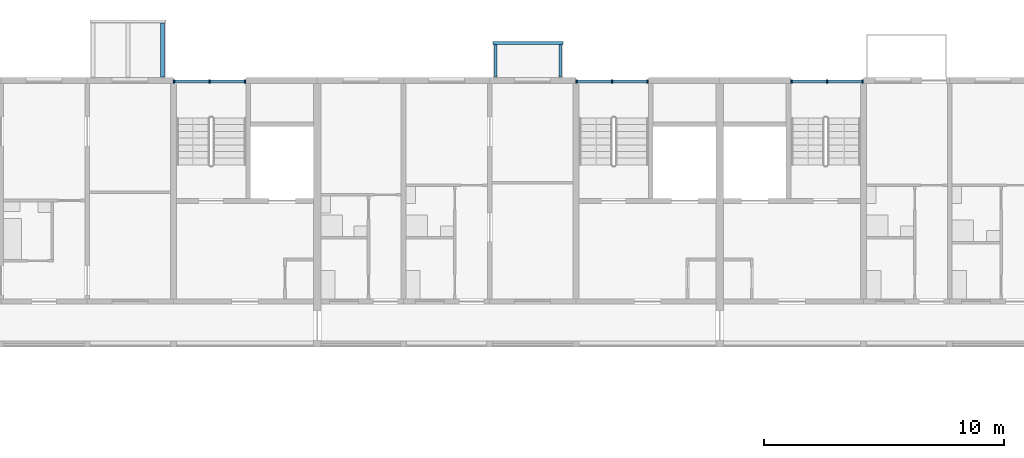
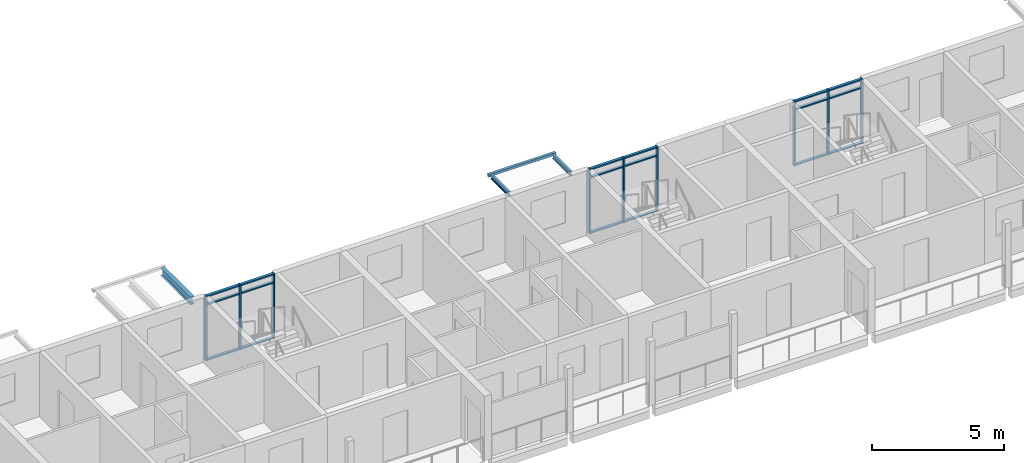
# One storey, part 18 of 99: 27 members, 4 beams, 3 elements without a shape of their own.
"""IFC4 building model written with IfcOpenShell, lengths in metres."""

from ifc_helpers import new_model, si_unit, direction, frame, origin, origin_2d, place, context, subcontext, project, spatial, rectangle, hollow_rectangle, i_section, extrude, material, material_profile, profile_set, type_object, element, aggregate, save


model = new_model("IFC4")

# Units and contexts
model_context = context("Model", 3, precision=1e-05, world=origin(), true_north=direction((0.0, 1.0)))
body_context = subcontext(model_context, "Body", "Model", "MODEL_VIEW")
ifc_project = project(units=[si_unit("LENGTHUNIT", "METRE"), si_unit("AREAUNIT", "SQUARE_METRE"), si_unit("VOLUMEUNIT", "CUBIC_METRE"), si_unit("PLANEANGLEUNIT", "RADIAN"), si_unit("MASSUNIT", "GRAM", prefix="KILO")], contexts=[model_context])

# Site, building, storey
site_placement = place(None, origin())
site = spatial("IfcSite", under=ifc_project, at=site_placement, CompositionType="ELEMENT")
building_placement = place(site_placement, origin())
building = spatial("IfcBuilding", under=site, at=building_placement, Name="Ridgestep Commons", CompositionType="ELEMENT")
storey_placement = place(building_placement, frame((0.0, 0.0, 15.0)))
storey = spatial("IfcBuildingStorey", under=building, at=storey_placement, Name="L05", CompositionType="ELEMENT", Elevation=15.0)

# Curtain wall, members
ifc_material_1 = material(Name="Aluminium 6063-T6 and glass", Category="aluminium")
curtain_wall_type = type_object("IfcCurtainWallType", Name="Curtain wall stair strip", PredefinedType="NOTDEFINED", material=ifc_material_1)
curtain_wall_1_placement = place(storey_placement, origin())
curtain_wall_1 = element("IfcCurtainWall", 1, at=curtain_wall_1_placement, inside=storey, type_object=curtain_wall_type, Name="Curtain wall C1C level 05", PredefinedType="NOTDEFINED")
ifc_material_2 = material(Name="Aluminium 6063-T6", Category="aluminium")
ifc_material_profile_1 = material_profile(ifc_material_2, rectangle(XDim=0.159912109375, YDim=0.06005859375, at=origin_2d()), Name="Mullion 60 x 160")
ifc_profile_set_1 = profile_set([ifc_material_profile_1], Name="Aluminium 6063-T6")
member_type_1 = type_object("IfcMemberType", Name="Mullion 60 x 160", PredefinedType="MULLION", material=ifc_profile_set_1)
member_1_placement = place(storey_placement, frame((157.6298828125, 77.080078125, 0.0), z_axis=(0.0, 0.0, 1.0), x_axis=(0.0, 1.0, 0.0)))
member_1 = element("IfcMember", 2, at=member_1_placement, type_object=member_type_1, Name="CW1 mullion 1", PredefinedType="MULLION", context=body_context, shape_type="SweptSolid", body=[
    extrude(rectangle(XDim=0.159912109375, YDim=0.06005859375, at=origin_2d()), origin(), (0.0, 0.0, 1.0), 3.0),
])
member_2_placement = place(storey_placement, frame((159.112548828125, 77.080078125, 0.0), z_axis=(0.0, 0.0, 1.0), x_axis=(0.0, 1.0, 0.0)))
member_2 = element("IfcMember", 3, at=member_2_placement, type_object=member_type_1, Name="CW1 mullion 2", PredefinedType="MULLION", context=body_context, shape_type="SweptSolid", body=[
    extrude(rectangle(XDim=0.159912109375, YDim=0.06005859375, at=origin_2d()), origin(), (0.0, 0.0, 1.0), 3.0),
])
member_3_placement = place(storey_placement, frame((160.594970703125, 77.080078125, 0.0), z_axis=(0.0, 0.0, 1.0), x_axis=(0.0, 1.0, 0.0)))
member_3 = element("IfcMember", 4, at=member_3_placement, type_object=member_type_1, Name="CW1 mullion 3", PredefinedType="MULLION", context=body_context, shape_type="SweptSolid", body=[
    extrude(rectangle(XDim=0.159912109375, YDim=0.06005859375, at=origin_2d()), origin(), (0.0, 0.0, 1.0), 3.0),
])

curtain_wall_2_placement = place(storey_placement, origin())
curtain_wall_2 = element("IfcCurtainWall", 5, at=curtain_wall_2_placement, inside=storey, type_object=curtain_wall_type, Name="Curtain wall C2C level 05", PredefinedType="NOTDEFINED")
member_4_placement = place(storey_placement, frame((174.429931640625, 77.080078125, 0.0), z_axis=(0.0, 0.0, 1.0), x_axis=(0.0, 1.0, 0.0)))
member_4 = element("IfcMember", 6, at=member_4_placement, type_object=member_type_1, Name="CW1 mullion 1", PredefinedType="MULLION", context=body_context, shape_type="SweptSolid", body=[
    extrude(rectangle(XDim=0.159912109375, YDim=0.06005859375, at=origin_2d()), origin(), (0.0, 0.0, 1.0), 3.0),
])
member_5_placement = place(storey_placement, frame((175.91259765625, 77.080078125, 0.0), z_axis=(0.0, 0.0, 1.0), x_axis=(0.0, 1.0, 0.0)))
member_5 = element("IfcMember", 7, at=member_5_placement, type_object=member_type_1, Name="CW1 mullion 2", PredefinedType="MULLION", context=body_context, shape_type="SweptSolid", body=[
    extrude(rectangle(XDim=0.159912109375, YDim=0.06005859375, at=origin_2d()), origin(), (0.0, 0.0, 1.0), 3.0),
])
member_6_placement = place(storey_placement, frame((177.39501953125, 77.080078125, 0.0), z_axis=(0.0, 0.0, 1.0), x_axis=(0.0, 1.0, 0.0)))
member_6 = element("IfcMember", 8, at=member_6_placement, type_object=member_type_1, Name="CW1 mullion 3", PredefinedType="MULLION", context=body_context, shape_type="SweptSolid", body=[
    extrude(rectangle(XDim=0.159912109375, YDim=0.06005859375, at=origin_2d()), origin(), (0.0, 0.0, 1.0), 3.0),
])

curtain_wall_3_placement = place(storey_placement, origin())
curtain_wall_3 = element("IfcCurtainWall", 9, at=curtain_wall_3_placement, inside=storey, type_object=curtain_wall_type, Name="Curtain wall C3C level 05", PredefinedType="NOTDEFINED")
member_7_placement = place(storey_placement, frame((183.405029296875, 77.080078125, 0.0), z_axis=(0.0, 0.0, 1.0), x_axis=(0.0, 1.0, 0.0)))
member_7 = element("IfcMember", 10, at=member_7_placement, type_object=member_type_1, Name="CW1 mullion 1", PredefinedType="MULLION", context=body_context, shape_type="SweptSolid", body=[
    extrude(rectangle(XDim=0.159912109375, YDim=0.06005859375, at=origin_2d()), origin(), (0.0, 0.0, 1.0), 3.0),
])
member_8_placement = place(storey_placement, frame((184.887451171875, 77.080078125, 0.0), z_axis=(0.0, 0.0, 1.0), x_axis=(0.0, 1.0, 0.0)))
member_8 = element("IfcMember", 11, at=member_8_placement, type_object=member_type_1, Name="CW1 mullion 2", PredefinedType="MULLION", context=body_context, shape_type="SweptSolid", body=[
    extrude(rectangle(XDim=0.159912109375, YDim=0.06005859375, at=origin_2d()), origin(), (0.0, 0.0, 1.0), 3.0),
])
member_9_placement = place(storey_placement, frame((186.3701171875, 77.080078125, 0.0), z_axis=(0.0, 0.0, 1.0), x_axis=(0.0, 1.0, 0.0)))
member_9 = element("IfcMember", 12, at=member_9_placement, type_object=member_type_1, Name="CW1 mullion 3", PredefinedType="MULLION", context=body_context, shape_type="SweptSolid", body=[
    extrude(rectangle(XDim=0.159912109375, YDim=0.06005859375, at=origin_2d()), origin(), (0.0, 0.0, 1.0), 3.0),
])

# Member
ifc_material_3 = material(Name="Aluminium 6063-T6", Category="aluminium")
ifc_material_profile_2 = material_profile(ifc_material_3, rectangle(XDim=0.1201171875, YDim=0.06005859375, at=origin_2d()), Name="Transom 60 x 120")
ifc_profile_set_2 = profile_set([ifc_material_profile_2], Name="Aluminium 6063-T6")
member_type_2 = type_object("IfcMemberType", Name="Transom 60 x 120", PredefinedType="USERDEFINED", material=ifc_profile_set_2)
member_10_placement = place(storey_placement, frame((157.659912109375, 77.080078125, 0.030029296875), z_axis=(1.0, 0.0, 0.0), x_axis=(0.0, 1.0, 0.0)))
member_10 = element("IfcMember", 13, at=member_10_placement, type_object=member_type_2, Name="CW1 transom 1.1", ObjectType="TRANSOM", PredefinedType="USERDEFINED", context=body_context, shape_type="SweptSolid", body=[
    extrude(rectangle(XDim=0.1201171875, YDim=0.06005859375, at=origin_2d()), origin(), (0.0, 0.0, 1.0), 1.422607421875),
])

member_11_placement = place(storey_placement, frame((157.659912109375, 77.080078125, 2.590087890625), z_axis=(1.0, 0.0, 0.0), x_axis=(0.0, 1.0, 0.0)))
member_11 = element("IfcMember", 14, at=member_11_placement, type_object=member_type_2, Name="CW1 transom 1.2", ObjectType="TRANSOM", PredefinedType="USERDEFINED", context=body_context, shape_type="SweptSolid", body=[
    extrude(rectangle(XDim=0.1201171875, YDim=0.06005859375, at=origin_2d()), origin(), (0.0, 0.0, 1.0), 1.422607421875),
])

member_12_placement = place(storey_placement, frame((157.659912109375, 77.080078125, 2.969970703125), z_axis=(1.0, 0.0, 0.0), x_axis=(0.0, 1.0, 0.0)))
member_12 = element("IfcMember", 15, at=member_12_placement, type_object=member_type_2, Name="CW1 transom 1.3", ObjectType="TRANSOM", PredefinedType="USERDEFINED", context=body_context, shape_type="SweptSolid", body=[
    extrude(rectangle(XDim=0.1201171875, YDim=0.06005859375, at=origin_2d()), origin(), (0.0, 0.0, 1.0), 1.422607421875),
])

member_13_placement = place(storey_placement, frame((159.142578125, 77.080078125, 0.030029296875), z_axis=(1.0, 0.0, 0.0), x_axis=(0.0, 1.0, 0.0)))
member_13 = element("IfcMember", 16, at=member_13_placement, type_object=member_type_2, Name="CW1 transom 2.1", ObjectType="TRANSOM", PredefinedType="USERDEFINED", context=body_context, shape_type="SweptSolid", body=[
    extrude(rectangle(XDim=0.1201171875, YDim=0.06005859375, at=origin_2d()), origin(), (0.0, 0.0, 1.0), 1.42236328125),
])

member_14_placement = place(storey_placement, frame((159.142578125, 77.080078125, 2.590087890625), z_axis=(1.0, 0.0, 0.0), x_axis=(0.0, 1.0, 0.0)))
member_14 = element("IfcMember", 17, at=member_14_placement, type_object=member_type_2, Name="CW1 transom 2.2", ObjectType="TRANSOM", PredefinedType="USERDEFINED", context=body_context, shape_type="SweptSolid", body=[
    extrude(rectangle(XDim=0.1201171875, YDim=0.06005859375, at=origin_2d()), origin(), (0.0, 0.0, 1.0), 1.42236328125),
])

member_15_placement = place(storey_placement, frame((159.142578125, 77.080078125, 2.969970703125), z_axis=(1.0, 0.0, 0.0), x_axis=(0.0, 1.0, 0.0)))
member_15 = element("IfcMember", 18, at=member_15_placement, type_object=member_type_2, Name="CW1 transom 2.3", ObjectType="TRANSOM", PredefinedType="USERDEFINED", context=body_context, shape_type="SweptSolid", body=[
    extrude(rectangle(XDim=0.1201171875, YDim=0.06005859375, at=origin_2d()), origin(), (0.0, 0.0, 1.0), 1.42236328125),
])

aggregate(curtain_wall_1, [member_1, member_2, member_3, member_10, member_11, member_12, member_13, member_14, member_15])

member_16_placement = place(storey_placement, frame((174.4599609375, 77.080078125, 0.030029296875), z_axis=(1.0, 0.0, 0.0), x_axis=(0.0, 1.0, 0.0)))
member_16 = element("IfcMember", 19, at=member_16_placement, type_object=member_type_2, Name="CW1 transom 1.1", ObjectType="TRANSOM", PredefinedType="USERDEFINED", context=body_context, shape_type="SweptSolid", body=[
    extrude(rectangle(XDim=0.1201171875, YDim=0.06005859375, at=origin_2d()), origin(), (0.0, 0.0, 1.0), 1.422607421875),
])

member_17_placement = place(storey_placement, frame((174.4599609375, 77.080078125, 2.590087890625), z_axis=(1.0, 0.0, 0.0), x_axis=(0.0, 1.0, 0.0)))
member_17 = element("IfcMember", 20, at=member_17_placement, type_object=member_type_2, Name="CW1 transom 1.2", ObjectType="TRANSOM", PredefinedType="USERDEFINED", context=body_context, shape_type="SweptSolid", body=[
    extrude(rectangle(XDim=0.1201171875, YDim=0.06005859375, at=origin_2d()), origin(), (0.0, 0.0, 1.0), 1.422607421875),
])

member_18_placement = place(storey_placement, frame((174.4599609375, 77.080078125, 2.969970703125), z_axis=(1.0, 0.0, 0.0), x_axis=(0.0, 1.0, 0.0)))
member_18 = element("IfcMember", 21, at=member_18_placement, type_object=member_type_2, Name="CW1 transom 1.3", ObjectType="TRANSOM", PredefinedType="USERDEFINED", context=body_context, shape_type="SweptSolid", body=[
    extrude(rectangle(XDim=0.1201171875, YDim=0.06005859375, at=origin_2d()), origin(), (0.0, 0.0, 1.0), 1.422607421875),
])

member_19_placement = place(storey_placement, frame((175.9423828125, 77.080078125, 0.030029296875), z_axis=(1.0, 0.0, 0.0), x_axis=(0.0, 1.0, 0.0)))
member_19 = element("IfcMember", 22, at=member_19_placement, type_object=member_type_2, Name="CW1 transom 2.1", ObjectType="TRANSOM", PredefinedType="USERDEFINED", context=body_context, shape_type="SweptSolid", body=[
    extrude(rectangle(XDim=0.1201171875, YDim=0.06005859375, at=origin_2d()), origin(), (0.0, 0.0, 1.0), 1.422607421875),
])

member_20_placement = place(storey_placement, frame((175.9423828125, 77.080078125, 2.590087890625), z_axis=(1.0, 0.0, 0.0), x_axis=(0.0, 1.0, 0.0)))
member_20 = element("IfcMember", 23, at=member_20_placement, type_object=member_type_2, Name="CW1 transom 2.2", ObjectType="TRANSOM", PredefinedType="USERDEFINED", context=body_context, shape_type="SweptSolid", body=[
    extrude(rectangle(XDim=0.1201171875, YDim=0.06005859375, at=origin_2d()), origin(), (0.0, 0.0, 1.0), 1.422607421875),
])

member_21_placement = place(storey_placement, frame((175.9423828125, 77.080078125, 2.969970703125), z_axis=(1.0, 0.0, 0.0), x_axis=(0.0, 1.0, 0.0)))
member_21 = element("IfcMember", 24, at=member_21_placement, type_object=member_type_2, Name="CW1 transom 2.3", ObjectType="TRANSOM", PredefinedType="USERDEFINED", context=body_context, shape_type="SweptSolid", body=[
    extrude(rectangle(XDim=0.1201171875, YDim=0.06005859375, at=origin_2d()), origin(), (0.0, 0.0, 1.0), 1.422607421875),
])

aggregate(curtain_wall_2, [member_4, member_5, member_6, member_16, member_17, member_18, member_19, member_20, member_21])

member_22_placement = place(storey_placement, frame((183.43505859375, 77.080078125, 0.030029296875), z_axis=(1.0, 0.0, 0.0), x_axis=(0.0, 1.0, 0.0)))
member_22 = element("IfcMember", 25, at=member_22_placement, type_object=member_type_2, Name="CW1 transom 1.1", ObjectType="TRANSOM", PredefinedType="USERDEFINED", context=body_context, shape_type="SweptSolid", body=[
    extrude(rectangle(XDim=0.1201171875, YDim=0.06005859375, at=origin_2d()), origin(), (0.0, 0.0, 1.0), 1.42236328125),
])

member_23_placement = place(storey_placement, frame((183.43505859375, 77.080078125, 2.590087890625), z_axis=(1.0, 0.0, 0.0), x_axis=(0.0, 1.0, 0.0)))
member_23 = element("IfcMember", 26, at=member_23_placement, type_object=member_type_2, Name="CW1 transom 1.2", ObjectType="TRANSOM", PredefinedType="USERDEFINED", context=body_context, shape_type="SweptSolid", body=[
    extrude(rectangle(XDim=0.1201171875, YDim=0.06005859375, at=origin_2d()), origin(), (0.0, 0.0, 1.0), 1.42236328125),
])

member_24_placement = place(storey_placement, frame((183.43505859375, 77.080078125, 2.969970703125), z_axis=(1.0, 0.0, 0.0), x_axis=(0.0, 1.0, 0.0)))
member_24 = element("IfcMember", 27, at=member_24_placement, type_object=member_type_2, Name="CW1 transom 1.3", ObjectType="TRANSOM", PredefinedType="USERDEFINED", context=body_context, shape_type="SweptSolid", body=[
    extrude(rectangle(XDim=0.1201171875, YDim=0.06005859375, at=origin_2d()), origin(), (0.0, 0.0, 1.0), 1.42236328125),
])

member_25_placement = place(storey_placement, frame((184.91748046875, 77.080078125, 0.030029296875), z_axis=(1.0, 0.0, 0.0), x_axis=(0.0, 1.0, 0.0)))
member_25 = element("IfcMember", 28, at=member_25_placement, type_object=member_type_2, Name="CW1 transom 2.1", ObjectType="TRANSOM", PredefinedType="USERDEFINED", context=body_context, shape_type="SweptSolid", body=[
    extrude(rectangle(XDim=0.1201171875, YDim=0.06005859375, at=origin_2d()), origin(), (0.0, 0.0, 1.0), 1.422607421875),
])

member_26_placement = place(storey_placement, frame((184.91748046875, 77.080078125, 2.590087890625), z_axis=(1.0, 0.0, 0.0), x_axis=(0.0, 1.0, 0.0)))
member_26 = element("IfcMember", 29, at=member_26_placement, type_object=member_type_2, Name="CW1 transom 2.2", ObjectType="TRANSOM", PredefinedType="USERDEFINED", context=body_context, shape_type="SweptSolid", body=[
    extrude(rectangle(XDim=0.1201171875, YDim=0.06005859375, at=origin_2d()), origin(), (0.0, 0.0, 1.0), 1.422607421875),
])

member_27_placement = place(storey_placement, frame((184.91748046875, 77.080078125, 2.969970703125), z_axis=(1.0, 0.0, 0.0), x_axis=(0.0, 1.0, 0.0)))
member_27 = element("IfcMember", 30, at=member_27_placement, type_object=member_type_2, Name="CW1 transom 2.3", ObjectType="TRANSOM", PredefinedType="USERDEFINED", context=body_context, shape_type="SweptSolid", body=[
    extrude(rectangle(XDim=0.1201171875, YDim=0.06005859375, at=origin_2d()), origin(), (0.0, 0.0, 1.0), 1.422607421875),
])

aggregate(curtain_wall_3, [member_7, member_8, member_9, member_22, member_23, member_24, member_25, member_26, member_27])

# Beams
ifc_material_4 = material(Name="Weathering steel S355J2W", Category="steel")
ifc_material_profile_3 = material_profile(ifc_material_4, i_section(OverallWidth=0.101806640625, OverallDepth=0.203125, WebThickness=0.00537109375, FlangeThickness=0.00927734375, FilletRadius=0.007568359375, at=origin_2d()), Name="UB 203x102x23")
ifc_profile_set_3 = profile_set([ifc_material_profile_3], Name="Weathering steel S355J2W")
beam_type_1 = type_object("IfcBeamType", Name="Tray arm UB 203x102x23", PredefinedType="BEAM", material=ifc_profile_set_3)
for number, where, z_axis, x_axis, name in (
    (31, (171.050048828125, 77.264892578125, 2.888427734375), (0.0, 1.0, 0.0), (-1.0, 0.0, 0.0), "Tray arm C2T3-06.1"),
    (32, (173.75, 77.264892578125, 2.888427734375), (0.0, 1.0, 0.0), (-1.0, 0.0, 0.0), "Tray arm C2T3-06.2"),
):
    element("IfcBeam", number, at=place(storey_placement, frame(where, z_axis=z_axis, x_axis=x_axis)), inside=storey, type_object=beam_type_1, Name=name, PredefinedType="BEAM", context=body_context, shape_type="SweptSolid", body=[
        extrude(i_section(OverallWidth=0.101806640625, OverallDepth=0.203125, WebThickness=0.00537109375, FlangeThickness=0.00927734375, FilletRadius=0.007568359375, at=origin_2d()), origin(), (0.0, 0.0, 1.0), 1.364990234375),
    ])
ifc_material_5 = material(Name="Weathering steel S355J2W", Category="steel")
ifc_material_profile_4 = material_profile(ifc_material_5, i_section(OverallWidth=0.171142578125, OverallDepth=0.351318359375, WebThickness=0.007080078125, FlangeThickness=0.009765625, FilletRadius=0.01025390625, at=origin_2d()), Name="UB 356x171x45")
ifc_profile_set_4 = profile_set([ifc_material_profile_4], Name="Weathering steel S355J2W")
beam_type_2 = type_object("IfcBeamType", Name="Tray arm UB 356x171x45", PredefinedType="BEAM", material=ifc_profile_set_4)
beam_1_placement = place(storey_placement, frame((157.14990234375, 77.264892578125, 2.814208984375), z_axis=(0.0, 1.0, 0.0), x_axis=(-1.0, 0.0, 0.0)))
element("IfcBeam", 33, at=beam_1_placement, inside=storey, type_object=beam_type_2, Name="Tray arm C1T3-06.3", PredefinedType="BEAM", context=body_context, shape_type="SweptSolid", body=[
    extrude(i_section(OverallWidth=0.171142578125, OverallDepth=0.351318359375, WebThickness=0.007080078125, FlangeThickness=0.009765625, FilletRadius=0.01025390625, at=origin_2d()), origin(), (0.0, 0.0, 1.0), 2.26513671875),
])
ifc_material_6 = material(Name="Weathering steel S355J2W", Category="steel")
ifc_material_profile_5 = material_profile(ifc_material_6, hollow_rectangle(XDim=0.1201171875, YDim=0.1201171875, WallThickness=0.00634765625, InnerFilletRadius=0.00634765625, OuterFilletRadius=0.009521484375, at=origin_2d()), Name="SHS 120x120x6.3")
ifc_profile_set_5 = profile_set([ifc_material_profile_5], Name="Weathering steel S355J2W")
beam_type_3 = type_object("IfcBeamType", Name="Tray edge member SHS 120x120x6.3", PredefinedType="BEAM", material=ifc_profile_set_5)
beam_2_placement = place(storey_placement, frame((170.929931640625, 78.68994140625, 2.929931640625), z_axis=(1.0, 0.0, 0.0), x_axis=(0.0, 0.0, 1.0)))
element("IfcBeam", 34, at=beam_2_placement, inside=storey, type_object=beam_type_3, Name="Tray edge member C2T3-06", PredefinedType="BEAM", context=body_context, shape_type="SweptSolid", body=[
    extrude(hollow_rectangle(XDim=0.1201171875, YDim=0.1201171875, WallThickness=0.00634765625, InnerFilletRadius=0.00634765625, OuterFilletRadius=0.009521484375, at=origin_2d()), origin(), (0.0, 0.0, 1.0), 2.940185546875),
])

save(model, "model.ifc")
